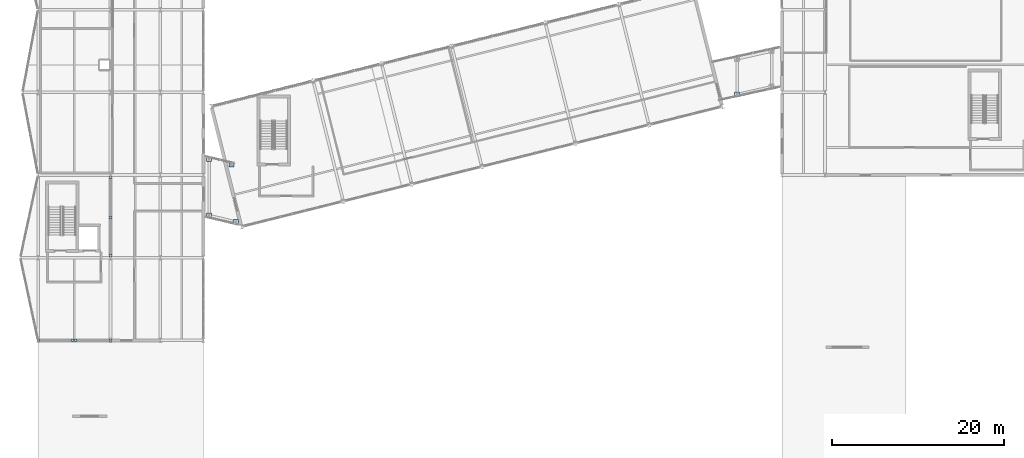
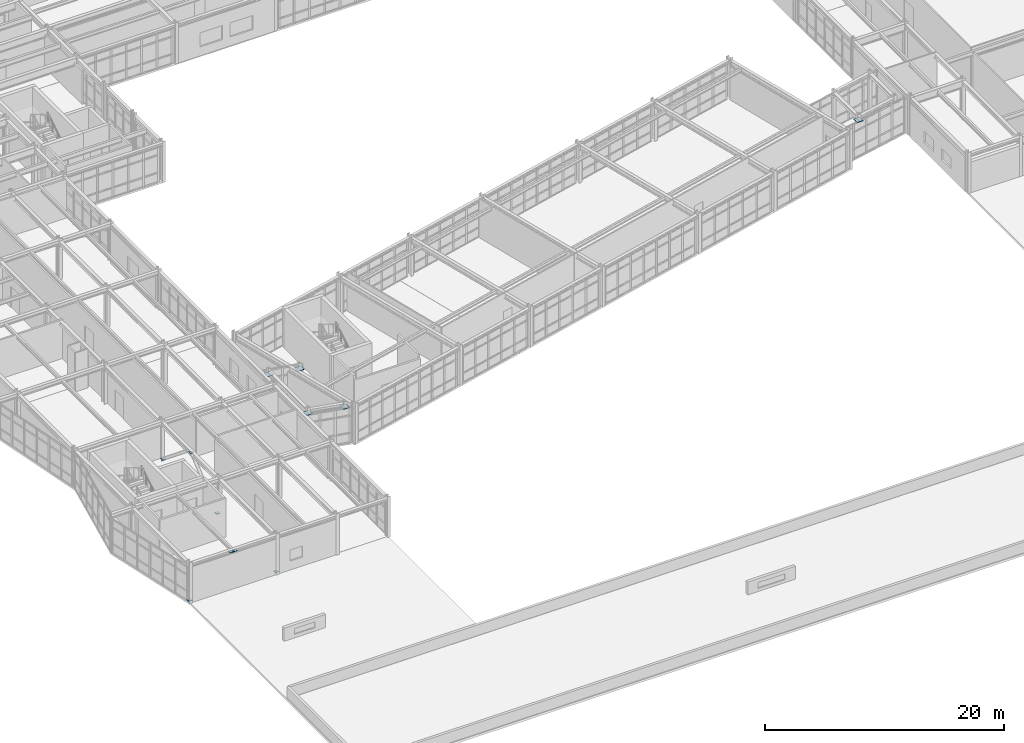
# One storey, part 64 of 88: 12 plates.
"""IFC4 building model written with IfcOpenShell, lengths in metres."""

from ifc_helpers import new_model, si_unit, direction, frame, origin, origin_2d, place, context, subcontext, project, spatial, rectangle, extrude, material, layer, layer_set, type_object, element, save


model = new_model("IFC4")

# Units and contexts
model_context = context("Model", 3, precision=1e-05, world=origin(), true_north=direction((0.0, 1.0)))
body_context = subcontext(model_context, "Body", "Model", "MODEL_VIEW")
ifc_project = project(units=[si_unit("LENGTHUNIT", "METRE"), si_unit("AREAUNIT", "SQUARE_METRE"), si_unit("VOLUMEUNIT", "CUBIC_METRE"), si_unit("PLANEANGLEUNIT", "RADIAN"), si_unit("MASSUNIT", "GRAM", prefix="KILO")], contexts=[model_context])

# Site, building, storey
site_placement = place(None, origin())
site = spatial("IfcSite", under=ifc_project, at=site_placement, CompositionType="ELEMENT")
building_placement = place(site_placement, origin())
building = spatial("IfcBuilding", under=site, at=building_placement, Name="Nordkorset Police Headquarters", CompositionType="ELEMENT")
storey_placement = place(building_placement, frame((0.0, 0.0, 9.449951171875)))
storey = spatial("IfcBuildingStorey", under=building, at=storey_placement, Name="L02", CompositionType="ELEMENT", Elevation=9.449951171875)

# Plates
ifc_material_1 = material(Name="Steel S355J2", Category="steel")
ifc_layer_1 = layer(ifc_material_1, 0.02001953125, Name="Steel S355J2")
ifc_layer_set_1 = layer_set([ifc_layer_1], Name="Steel S355J2")
plate_type_1 = type_object("IfcPlateType", Name="SteelPlate_20mm", PredefinedType="SHEET", material=ifc_layer_set_1)
for number, where, z_axis, x_axis, name in (
    (1, (8.39990234375, 38.64990234375, 0.18994140625), (0.0, 0.0, 1.0), (1.0, 0.0, 0.0), "Hollow Section End Cap Plate BF-V3-A-L02-D1-0"),
    (2, (8.39990234375, 43.02001953125, 3.739990234375), (0.0, 0.0, 1.0), (1.0, 0.0, 0.0), "Hollow Section End Cap Plate BF-V3-A-L02-D1-1"),
    (3, (8.39990234375, 47.75, 0.18994140625), (0.0, 0.0, 1.0), (1.0, 0.0, 0.0), "Hollow Section End Cap Plate BF-V3-A-L02-D2-0"),
    (4, (0.00732421875, 28.800048828125, 0.18994140625), (0.0, 0.0, 1.0), (1.0, 0.0, 0.0), "Hollow Section End Cap Plate BF-EXT-V3S-L02-D1-0"),
    (5, (4.02001953125, 28.800048828125, 3.739990234375), (0.0, 0.0, 1.0), (1.0, 0.0, 0.0), "Hollow Section End Cap Plate BF-EXT-V3S-L02-D1-1"),
    (6, (8.392578125, 28.800048828125, 0.18994140625), (0.0, 0.0, 1.0), (1.0, 0.0, 0.0), "Hollow Section End Cap Plate BF-EXT-V3S-L02-D2-0"),
    (7, (4.3798828125, 28.800048828125, 3.739990234375), (0.0, 0.0, 1.0), (1.0, 0.0, 0.0), "Hollow Section End Cap Plate BF-EXT-V3S-L02-D2-1"),
):
    element("IfcPlate", number, at=place(storey_placement, frame(where, z_axis=z_axis, x_axis=x_axis)), inside=storey, type_object=plate_type_1, Name=name, PredefinedType="SHEET", context=body_context, shape_type="SweptSolid", body=[
        extrude(rectangle(XDim=0.31298828125, YDim=0.31298828125, at=origin_2d()), origin(), (0.0, 0.0, 1.0), 0.02001953125),
    ])
ifc_material_2 = material(Name="Steel S355J2", Category="steel")
ifc_layer_2 = layer(ifc_material_2, 0.0400390625, Name="Steel S355J2")
ifc_layer_set_2 = layer_set([ifc_layer_2], Name="Steel S355J2")
plate_type_2 = type_object("IfcPlateType", Name="SteelPlate_40mm", PredefinedType="SHEET", material=ifc_layer_set_2)
for number, where, z_axis, x_axis, name in (
    (8, (19.85009765625, 43.300048828125, 3.571044921875), (0.0, 0.0, 1.0), (1.0, 0.0, 0.0), "Bridge Bearing Seat Plate 600mm BRG-W L02 1"),
    (9, (22.949951171875, 42.550048828125, 3.571044921875), (0.0, 0.0, 1.0), (1.0, 0.0, 0.0), "Bridge Bearing Seat Plate 600mm BRG-W L02 2"),
    (10, (19.85009765625, 49.85009765625, 3.571044921875), (0.0, 0.0, 1.0), (1.0, 0.0, 0.0), "Bridge Bearing Seat Plate 600mm BRG-W L02 3"),
    (11, (22.449951171875, 49.25, 3.571044921875), (0.0, 0.0, 1.0), (1.0, 0.0, 0.0), "Bridge Bearing Seat Plate 600mm BRG-W L02 4"),
    (12, (81.199951171875, 57.35009765625, 3.531005859375), (0.0, 0.0, 1.0), (1.0, 0.0, 0.0), "Bridge Bearing Seat Plate 600mm BRG-E L02 1"),
):
    element("IfcPlate", number, at=place(storey_placement, frame(where, z_axis=z_axis, x_axis=x_axis)), inside=storey, type_object=plate_type_2, Name=name, PredefinedType="SHEET", context=body_context, shape_type="SweptSolid", body=[
        extrude(rectangle(XDim=0.60009765625, YDim=0.60009765625, at=origin_2d()), origin(), (0.0, 0.0, 1.0), 0.0400390625),
    ])

save(model, "model.ifc")
